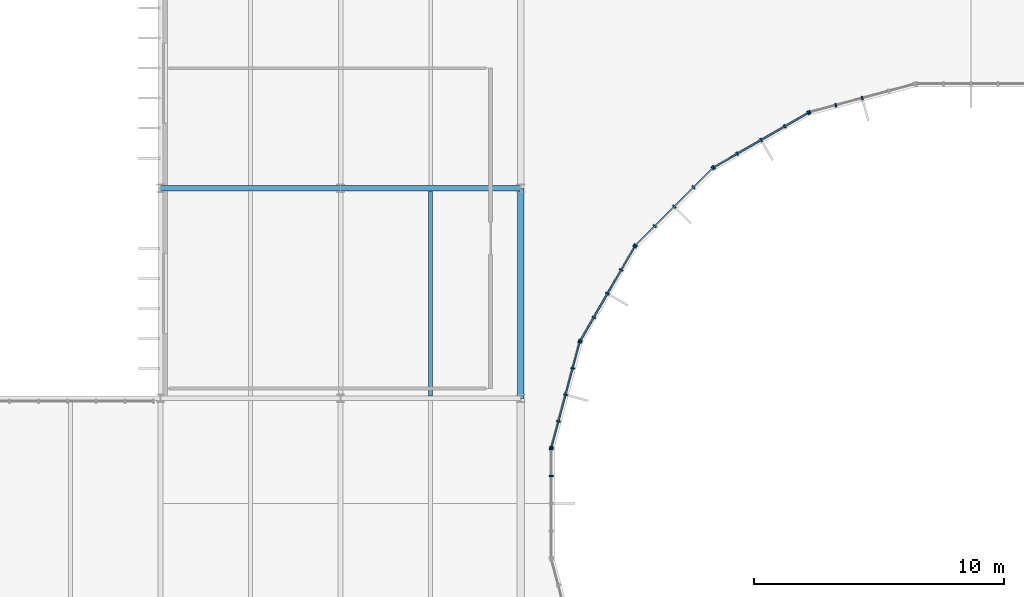
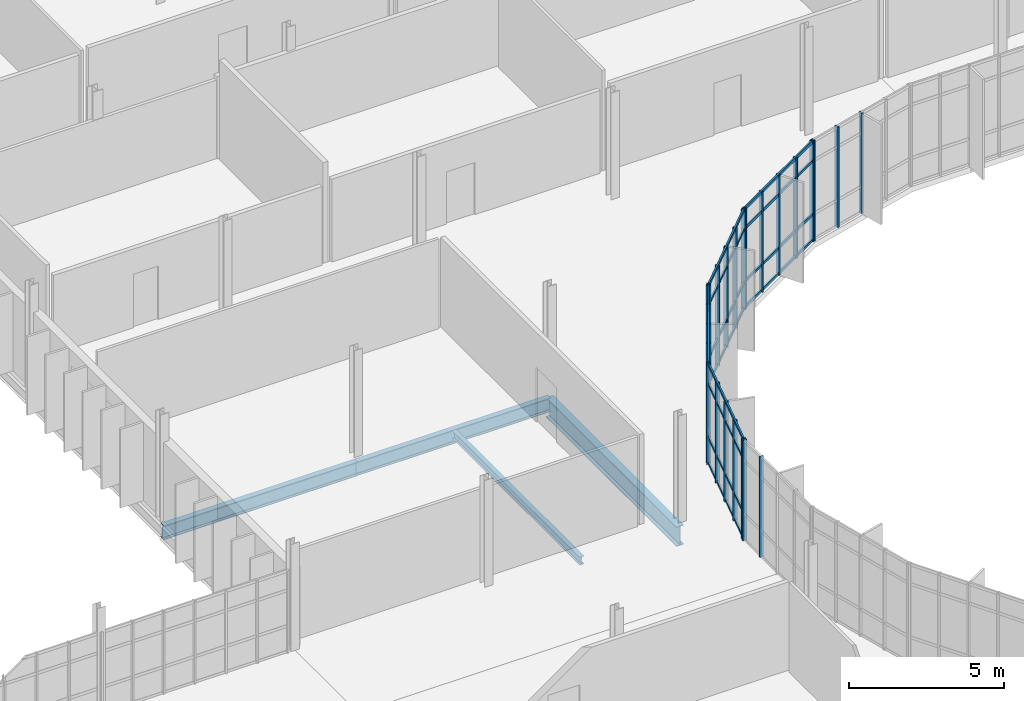
# One storey, part 53 of 119: 41 members, 4 beams, 6 elements without a shape of their own.
"""IFC4 building model written with IfcOpenShell, lengths in metres."""

from ifc_helpers import new_model, si_unit, direction, frame, origin, origin_2d, place, context, subcontext, project, spatial, rectangle, i_section, extrude, material, material_profile, profile_set, type_object, element, aggregate, save


model = new_model("IFC4")

# Units and contexts
model_context = context("Model", 3, precision=1e-05, world=origin(), true_north=direction((0.0, 1.0)))
body_context = subcontext(model_context, "Body", "Model", "MODEL_VIEW")
ifc_project = project(units=[si_unit("LENGTHUNIT", "METRE"), si_unit("AREAUNIT", "SQUARE_METRE"), si_unit("VOLUMEUNIT", "CUBIC_METRE"), si_unit("PLANEANGLEUNIT", "RADIAN"), si_unit("MASSUNIT", "GRAM", prefix="KILO")], contexts=[model_context])

# Site, building, storey
site_placement = place(None, origin())
site = spatial("IfcSite", under=ifc_project, at=site_placement, CompositionType="ELEMENT")
building_placement = place(site_placement, origin())
building = spatial("IfcBuilding", under=site, at=building_placement, Name="Qelthora Terrace Specialist Clinic", CompositionType="ELEMENT")
storey_placement = place(building_placement, frame((0.0, 0.0, 4.800048828125)))
storey = spatial("IfcBuildingStorey", under=building, at=storey_placement, Name="L01", CompositionType="ELEMENT", Elevation=4.800048828125)

# Beams
ifc_material_1 = material(Name="Steel S355", Category="steel")
ifc_material_profile_1 = material_profile(ifc_material_1, i_section(OverallWidth=0.2099609375, OverallDepth=0.537109375, WebThickness=0.010986328125, FlangeThickness=0.017333984375, FilletRadius=0.013916015625, at=origin_2d()), Name="W530X101")
ifc_profile_set_1 = profile_set([ifc_material_profile_1], Name="Steel S355")
beam_type_1 = type_object("IfcBeamType", Name="BM-W530X101", PredefinedType="BEAM", material=ifc_profile_set_1)
beam_1_placement = place(storey_placement, frame((100.800048828125, 75.60009765625, -0.5185546875), z_axis=(1.0, 0.0, 0.0), x_axis=(0.0, 1.0, 0.0)))
element("IfcBeam", 1, at=beam_1_placement, inside=storey, type_object=beam_type_1, Name="Girder BMX-L01-0272", PredefinedType="BEAM", context=body_context, shape_type="SweptSolid", body=[
    extrude(i_section(OverallWidth=0.2099609375, OverallDepth=0.537109375, WebThickness=0.010986328125, FlangeThickness=0.017333984375, FilletRadius=0.013916015625, at=origin_2d()), origin(), (0.0, 0.0, 1.0), 7.199951171875),
])
ifc_material_profile_2 = material_profile(ifc_material_1, i_section(OverallWidth=0.2119140625, OverallDepth=0.5439453125, WebThickness=0.01318359375, FlangeThickness=0.021240234375, FilletRadius=0.013916015625, at=origin_2d()), Name="W530X123")
ifc_profile_set_2 = profile_set([ifc_material_profile_2], Name="Steel S355")
beam_type_2 = type_object("IfcBeamType", Name="BM-W530X123", PredefinedType="BEAM", material=ifc_profile_set_2)
beam_2_placement = place(storey_placement, frame((93.60009765625, 75.60009765625, -0.52197265625), z_axis=(1.0, 0.0, 0.0), x_axis=(0.0, 1.0, 0.0)))
element("IfcBeam", 2, at=beam_2_placement, inside=storey, type_object=beam_type_2, Name="Girder BMX-L01-0271", PredefinedType="BEAM", context=body_context, shape_type="SweptSolid", body=[
    extrude(i_section(OverallWidth=0.2119140625, OverallDepth=0.5439453125, WebThickness=0.01318359375, FlangeThickness=0.021240234375, FilletRadius=0.013916015625, at=origin_2d()), origin(), (0.0, 0.0, 1.0), 7.199951171875),
])
ifc_material_profile_3 = material_profile(ifc_material_1, i_section(OverallWidth=0.26806640625, OverallDepth=0.77001953125, WebThickness=0.015625, FlangeThickness=0.025390625, FilletRadius=0.01904296875, at=origin_2d()), Name="W760X196")
ifc_profile_set_3 = profile_set([ifc_material_profile_3], Name="Steel S355")
beam_type_3 = type_object("IfcBeamType", Name="BM-W760X196", PredefinedType="BEAM", material=ifc_profile_set_3)
beam_3_placement = place(storey_placement, frame((108.0, 67.199951171875, -0.635009765625), z_axis=(0.0, 1.0, 0.0), x_axis=(-1.0, 0.0, 0.0)))
element("IfcBeam", 3, at=beam_3_placement, inside=storey, type_object=beam_type_3, Name="Girder BMY-L01-0482", PredefinedType="BEAM", context=body_context, shape_type="SweptSolid", body=[
    extrude(i_section(OverallWidth=0.26806640625, OverallDepth=0.77001953125, WebThickness=0.015625, FlangeThickness=0.025390625, FilletRadius=0.01904296875, at=origin_2d()), origin(), (0.0, 0.0, 1.0), 8.400146484375),
])

# Curtain wall, members
ifc_material_2 = material(Name="Aluminium anodized bronze", Category="aluminium")
curtain_wall_type = type_object("IfcCurtainWallType", Name="CW-CRTE-UPP", PredefinedType="NOTDEFINED", material=ifc_material_2)
curtain_wall_1_placement = place(storey_placement, origin())
curtain_wall_1 = element("IfcCurtainWall", 4, at=curtain_wall_1_placement, inside=storey, type_object=curtain_wall_type, Name="Curtain wall CW-CE-L01-07", PredefinedType="NOTDEFINED")
ifc_material_profile_4 = material_profile(ifc_material_2, rectangle(XDim=0.06005859375, YDim=0.14990234375, at=origin_2d()), Name="CWM60X150")
ifc_profile_set_4 = profile_set([ifc_material_profile_4], Name="Aluminium anodized bronze")
member_type_1 = type_object("IfcMemberType", Name="CWM-60X150", PredefinedType="MULLION", material=ifc_profile_set_4)
member_1_placement = place(storey_placement, frame((121.657958984375, 79.20458984375, 0.0), z_axis=(0.0, 0.0, 1.0), x_axis=(-0.965925660235, -0.258819664824, 0.0)))
member_1 = element("IfcMember", 5, at=member_1_placement, type_object=member_type_1, Name="CW-CE-L01-07 mullion 3", PredefinedType="MULLION", context=body_context, shape_type="SweptSolid", body=[
    extrude(rectangle(XDim=0.06005859375, YDim=0.14990234375, at=origin_2d()), origin(), (0.0, 0.0, 1.0), 3.945068359375),
])
member_2_placement = place(storey_placement, frame((120.598876953125, 78.9208984375, 0.0), z_axis=(0.0, 0.0, 1.0), x_axis=(-0.965925660235, -0.258819664824, 0.0)))
member_2 = element("IfcMember", 6, at=member_2_placement, type_object=member_type_1, Name="CW-CE-L01-07 mullion 4", PredefinedType="MULLION", context=body_context, shape_type="SweptSolid", body=[
    extrude(rectangle(XDim=0.06005859375, YDim=0.14990234375, at=origin_2d()), origin(), (0.0, 0.0, 1.0), 3.945068359375),
])
member_3_placement = place(storey_placement, frame((119.55908203125, 78.642333984375, 0.0), z_axis=(0.0, 0.0, 1.0), x_axis=(-0.965925660235, -0.258819664824, 0.0)))
member_3 = element("IfcMember", 7, at=member_3_placement, type_object=member_type_1, Name="CW-CE-L01-07 mullion 5", PredefinedType="MULLION", context=body_context, shape_type="SweptSolid", body=[
    extrude(rectangle(XDim=0.06005859375, YDim=0.14990234375, at=origin_2d()), origin(), (0.0, 0.0, 1.0), 3.945068359375),
])
aggregate(curtain_wall_1, [member_1, member_2, member_3])

curtain_wall_2_placement = place(storey_placement, origin())
curtain_wall_2 = element("IfcCurtainWall", 8, at=curtain_wall_2_placement, inside=storey, type_object=curtain_wall_type, Name="Curtain wall CW-CE-L01-08", PredefinedType="NOTDEFINED")
member_4_placement = place(storey_placement, frame((119.49365234375, 78.614990234375, 0.0), z_axis=(0.0, 0.0, 1.0), x_axis=(-0.86602538709, -0.500000028915, 0.0)))
member_4 = element("IfcMember", 9, at=member_4_placement, type_object=member_type_1, Name="CW-CE-L01-08 mullion 1", PredefinedType="MULLION", context=body_context, shape_type="SweptSolid", body=[
    extrude(rectangle(XDim=0.06005859375, YDim=0.14990234375, at=origin_2d()), origin(), (0.0, 0.0, 1.0), 3.945068359375),
])
member_5_placement = place(storey_placement, frame((118.561279296875, 78.076904296875, 0.0), z_axis=(0.0, 0.0, 1.0), x_axis=(-0.86602538709, -0.500000028915, 0.0)))
member_5 = element("IfcMember", 10, at=member_5_placement, type_object=member_type_1, Name="CW-CE-L01-08 mullion 2", PredefinedType="MULLION", context=body_context, shape_type="SweptSolid", body=[
    extrude(rectangle(XDim=0.06005859375, YDim=0.14990234375, at=origin_2d()), origin(), (0.0, 0.0, 1.0), 3.945068359375),
])
member_6_placement = place(storey_placement, frame((117.61181640625, 77.528564453125, 0.0), z_axis=(0.0, 0.0, 1.0), x_axis=(-0.86602538709, -0.500000028915, 0.0)))
member_6 = element("IfcMember", 11, at=member_6_placement, type_object=member_type_1, Name="CW-CE-L01-08 mullion 3", PredefinedType="MULLION", context=body_context, shape_type="SweptSolid", body=[
    extrude(rectangle(XDim=0.06005859375, YDim=0.14990234375, at=origin_2d()), origin(), (0.0, 0.0, 1.0), 3.945068359375),
])
member_7_placement = place(storey_placement, frame((116.662353515625, 76.98046875, 0.0), z_axis=(0.0, 0.0, 1.0), x_axis=(-0.86602538709, -0.500000028915, 0.0)))
member_7 = element("IfcMember", 12, at=member_7_placement, type_object=member_type_1, Name="CW-CE-L01-08 mullion 4", PredefinedType="MULLION", context=body_context, shape_type="SweptSolid", body=[
    extrude(rectangle(XDim=0.06005859375, YDim=0.14990234375, at=origin_2d()), origin(), (0.0, 0.0, 1.0), 3.945068359375),
])
member_8_placement = place(storey_placement, frame((115.730224609375, 76.442138671875, 0.0), z_axis=(0.0, 0.0, 1.0), x_axis=(-0.86602538709, -0.500000028915, 0.0)))
member_8 = element("IfcMember", 13, at=member_8_placement, type_object=member_type_1, Name="CW-CE-L01-08 mullion 5", PredefinedType="MULLION", context=body_context, shape_type="SweptSolid", body=[
    extrude(rectangle(XDim=0.06005859375, YDim=0.14990234375, at=origin_2d()), origin(), (0.0, 0.0, 1.0), 3.945068359375),
])

curtain_wall_3_placement = place(storey_placement, origin())
curtain_wall_3 = element("IfcCurtainWall", 14, at=curtain_wall_3_placement, inside=storey, type_object=curtain_wall_type, Name="Curtain wall CW-CE-L01-09", PredefinedType="NOTDEFINED")
member_9_placement = place(storey_placement, frame((115.673828125, 76.399169921875, 0.0), z_axis=(0.0, 0.0, 1.0), x_axis=(-0.707106781187, -0.707106781187, 0.0)))
member_9 = element("IfcMember", 15, at=member_9_placement, type_object=member_type_1, Name="CW-CE-L01-09 mullion 1", PredefinedType="MULLION", context=body_context, shape_type="SweptSolid", body=[
    extrude(rectangle(XDim=0.06005859375, YDim=0.14990234375, at=origin_2d()), origin(), (0.0, 0.0, 1.0), 3.945068359375),
])
member_10_placement = place(storey_placement, frame((114.91259765625, 75.637939453125, 0.0), z_axis=(0.0, 0.0, 1.0), x_axis=(-0.707106781187, -0.707106781187, 0.0)))
member_10 = element("IfcMember", 16, at=member_10_placement, type_object=member_type_1, Name="CW-CE-L01-09 mullion 2", PredefinedType="MULLION", context=body_context, shape_type="SweptSolid", body=[
    extrude(rectangle(XDim=0.06005859375, YDim=0.14990234375, at=origin_2d()), origin(), (0.0, 0.0, 1.0), 3.945068359375),
])
member_11_placement = place(storey_placement, frame((114.137451171875, 74.862548828125, 0.0), z_axis=(0.0, 0.0, 1.0), x_axis=(-0.707106781187, -0.707106781187, 0.0)))
member_11 = element("IfcMember", 17, at=member_11_placement, type_object=member_type_1, Name="CW-CE-L01-09 mullion 3", PredefinedType="MULLION", context=body_context, shape_type="SweptSolid", body=[
    extrude(rectangle(XDim=0.06005859375, YDim=0.14990234375, at=origin_2d()), origin(), (0.0, 0.0, 1.0), 3.945068359375),
])
member_12_placement = place(storey_placement, frame((113.362060546875, 74.08740234375, 0.0), z_axis=(0.0, 0.0, 1.0), x_axis=(-0.707106781187, -0.707106781187, 0.0)))
member_12 = element("IfcMember", 18, at=member_12_placement, type_object=member_type_1, Name="CW-CE-L01-09 mullion 4", PredefinedType="MULLION", context=body_context, shape_type="SweptSolid", body=[
    extrude(rectangle(XDim=0.06005859375, YDim=0.14990234375, at=origin_2d()), origin(), (0.0, 0.0, 1.0), 3.945068359375),
])
member_13_placement = place(storey_placement, frame((112.600830078125, 73.326171875, 0.0), z_axis=(0.0, 0.0, 1.0), x_axis=(-0.707106781187, -0.707106781187, 0.0)))
member_13 = element("IfcMember", 19, at=member_13_placement, type_object=member_type_1, Name="CW-CE-L01-09 mullion 5", PredefinedType="MULLION", context=body_context, shape_type="SweptSolid", body=[
    extrude(rectangle(XDim=0.06005859375, YDim=0.14990234375, at=origin_2d()), origin(), (0.0, 0.0, 1.0), 3.945068359375),
])

curtain_wall_4_placement = place(storey_placement, origin())
curtain_wall_4 = element("IfcCurtainWall", 20, at=curtain_wall_4_placement, inside=storey, type_object=curtain_wall_type, Name="Curtain wall CW-CE-L01-10", PredefinedType="NOTDEFINED")
member_14_placement = place(storey_placement, frame((112.557861328125, 73.269775390625, 0.0), z_axis=(0.0, 0.0, 1.0), x_axis=(-0.500000028915, -0.86602538709, 0.0)))
member_14 = element("IfcMember", 21, at=member_14_placement, type_object=member_type_1, Name="CW-CE-L01-10 mullion 1", PredefinedType="MULLION", context=body_context, shape_type="SweptSolid", body=[
    extrude(rectangle(XDim=0.06005859375, YDim=0.14990234375, at=origin_2d()), origin(), (0.0, 0.0, 1.0), 3.945068359375),
])
member_15_placement = place(storey_placement, frame((112.01953125, 72.337646484375, 0.0), z_axis=(0.0, 0.0, 1.0), x_axis=(-0.500000028915, -0.86602538709, 0.0)))
member_15 = element("IfcMember", 22, at=member_15_placement, type_object=member_type_1, Name="CW-CE-L01-10 mullion 2", PredefinedType="MULLION", context=body_context, shape_type="SweptSolid", body=[
    extrude(rectangle(XDim=0.06005859375, YDim=0.14990234375, at=origin_2d()), origin(), (0.0, 0.0, 1.0), 3.945068359375),
])
member_16_placement = place(storey_placement, frame((111.471435546875, 71.38818359375, 0.0), z_axis=(0.0, 0.0, 1.0), x_axis=(-0.500000028915, -0.86602538709, 0.0)))
member_16 = element("IfcMember", 23, at=member_16_placement, type_object=member_type_1, Name="CW-CE-L01-10 mullion 3", PredefinedType="MULLION", context=body_context, shape_type="SweptSolid", body=[
    extrude(rectangle(XDim=0.06005859375, YDim=0.14990234375, at=origin_2d()), origin(), (0.0, 0.0, 1.0), 3.945068359375),
])
member_17_placement = place(storey_placement, frame((110.923095703125, 70.438720703125, 0.0), z_axis=(0.0, 0.0, 1.0), x_axis=(-0.500000028915, -0.86602538709, 0.0)))
member_17 = element("IfcMember", 24, at=member_17_placement, type_object=member_type_1, Name="CW-CE-L01-10 mullion 4", PredefinedType="MULLION", context=body_context, shape_type="SweptSolid", body=[
    extrude(rectangle(XDim=0.06005859375, YDim=0.14990234375, at=origin_2d()), origin(), (0.0, 0.0, 1.0), 3.945068359375),
])
member_18_placement = place(storey_placement, frame((110.385009765625, 69.50634765625, 0.0), z_axis=(0.0, 0.0, 1.0), x_axis=(-0.500000028915, -0.86602538709, 0.0)))
member_18 = element("IfcMember", 25, at=member_18_placement, type_object=member_type_1, Name="CW-CE-L01-10 mullion 5", PredefinedType="MULLION", context=body_context, shape_type="SweptSolid", body=[
    extrude(rectangle(XDim=0.06005859375, YDim=0.14990234375, at=origin_2d()), origin(), (0.0, 0.0, 1.0), 3.945068359375),
])

curtain_wall_5_placement = place(storey_placement, origin())
curtain_wall_5 = element("IfcCurtainWall", 26, at=curtain_wall_5_placement, inside=storey, type_object=curtain_wall_type, Name="Curtain wall CW-CE-L01-11", PredefinedType="NOTDEFINED")
member_19_placement = place(storey_placement, frame((110.357666015625, 69.44091796875, 0.0), z_axis=(0.0, 0.0, 1.0), x_axis=(-0.258819664824, -0.965925660235, 0.0)))
member_19 = element("IfcMember", 27, at=member_19_placement, type_object=member_type_1, Name="CW-CE-L01-11 mullion 1", PredefinedType="MULLION", context=body_context, shape_type="SweptSolid", body=[
    extrude(rectangle(XDim=0.06005859375, YDim=0.14990234375, at=origin_2d()), origin(), (0.0, 0.0, 1.0), 3.945068359375),
])
member_20_placement = place(storey_placement, frame((110.0791015625, 68.401123046875, 0.0), z_axis=(0.0, 0.0, 1.0), x_axis=(-0.258819664824, -0.965925660235, 0.0)))
member_20 = element("IfcMember", 28, at=member_20_placement, type_object=member_type_1, Name="CW-CE-L01-11 mullion 2", PredefinedType="MULLION", context=body_context, shape_type="SweptSolid", body=[
    extrude(rectangle(XDim=0.06005859375, YDim=0.14990234375, at=origin_2d()), origin(), (0.0, 0.0, 1.0), 3.945068359375),
])
member_21_placement = place(storey_placement, frame((109.79541015625, 67.342041015625, 0.0), z_axis=(0.0, 0.0, 1.0), x_axis=(-0.258819664824, -0.965925660235, 0.0)))
member_21 = element("IfcMember", 29, at=member_21_placement, type_object=member_type_1, Name="CW-CE-L01-11 mullion 3", PredefinedType="MULLION", context=body_context, shape_type="SweptSolid", body=[
    extrude(rectangle(XDim=0.06005859375, YDim=0.14990234375, at=origin_2d()), origin(), (0.0, 0.0, 1.0), 3.945068359375),
])
member_22_placement = place(storey_placement, frame((109.511474609375, 66.282958984375, 0.0), z_axis=(0.0, 0.0, 1.0), x_axis=(-0.258819664824, -0.965925660235, 0.0)))
member_22 = element("IfcMember", 30, at=member_22_placement, type_object=member_type_1, Name="CW-CE-L01-11 mullion 4", PredefinedType="MULLION", context=body_context, shape_type="SweptSolid", body=[
    extrude(rectangle(XDim=0.06005859375, YDim=0.14990234375, at=origin_2d()), origin(), (0.0, 0.0, 1.0), 3.945068359375),
])
member_23_placement = place(storey_placement, frame((109.23291015625, 65.2431640625, 0.0), z_axis=(0.0, 0.0, 1.0), x_axis=(-0.258819664824, -0.965925660235, 0.0)))
member_23 = element("IfcMember", 31, at=member_23_placement, type_object=member_type_1, Name="CW-CE-L01-11 mullion 5", PredefinedType="MULLION", context=body_context, shape_type="SweptSolid", body=[
    extrude(rectangle(XDim=0.06005859375, YDim=0.14990234375, at=origin_2d()), origin(), (0.0, 0.0, 1.0), 3.945068359375),
])

curtain_wall_6_placement = place(storey_placement, origin())
curtain_wall_6 = element("IfcCurtainWall", 32, at=curtain_wall_6_placement, inside=storey, type_object=curtain_wall_type, Name="Curtain wall CW-CE-L01-12", PredefinedType="NOTDEFINED")
member_24_placement = place(storey_placement, frame((109.2236328125, 65.1728515625, 0.0), z_axis=(0.0, 0.0, 1.0), x_axis=(0.0, -1.0, 0.0)))
member_24 = element("IfcMember", 33, at=member_24_placement, type_object=member_type_1, Name="CW-CE-L01-12 mullion 1", PredefinedType="MULLION", context=body_context, shape_type="SweptSolid", body=[
    extrude(rectangle(XDim=0.06005859375, YDim=0.14990234375, at=origin_2d()), origin(), (0.0, 0.0, 1.0), 3.945068359375),
])
member_25_placement = place(storey_placement, frame((109.2236328125, 64.096435546875, 0.0), z_axis=(0.0, 0.0, 1.0), x_axis=(0.0, -1.0, 0.0)))
member_25 = element("IfcMember", 34, at=member_25_placement, type_object=member_type_1, Name="CW-CE-L01-12 mullion 2", PredefinedType="MULLION", context=body_context, shape_type="SweptSolid", body=[
    extrude(rectangle(XDim=0.06005859375, YDim=0.14990234375, at=origin_2d()), origin(), (0.0, 0.0, 1.0), 3.945068359375),
])
aggregate(curtain_wall_6, [member_24, member_25])

# Member
ifc_material_profile_5 = material_profile(ifc_material_2, rectangle(XDim=0.06005859375, YDim=0.110107421875, at=origin_2d()), Name="CWT60X110")
ifc_profile_set_5 = profile_set([ifc_material_profile_5], Name="Aluminium anodized bronze")
member_type_2 = type_object("IfcMemberType", Name="CWT-60X110", PredefinedType="USERDEFINED", material=ifc_profile_set_5)
member_26_placement = place(storey_placement, frame((119.476318359375, 78.60498046875, 0.0400390625), z_axis=(-0.866022228109, -0.500005500391, 0.0), x_axis=(0.500005500391, -0.866022228109, 0.0)))
member_26 = element("IfcMember", 35, at=member_26_placement, type_object=member_type_2, Name="CW-CE-L01-08 transom 1", ObjectType="TRANSOM", PredefinedType="USERDEFINED", context=body_context, shape_type="SweptSolid", body=[
    extrude(rectangle(XDim=0.06005859375, YDim=0.110107421875, at=origin_2d()), origin(), (0.0, 0.0, 1.0), 4.3056640625),
])

member_27_placement = place(storey_placement, frame((119.476318359375, 78.60498046875, 1.050048828125), z_axis=(-0.866022228109, -0.500005500391, 0.0), x_axis=(0.500005500391, -0.866022228109, 0.0)))
member_27 = element("IfcMember", 36, at=member_27_placement, type_object=member_type_2, Name="CW-CE-L01-08 transom 2", ObjectType="TRANSOM", PredefinedType="USERDEFINED", context=body_context, shape_type="SweptSolid", body=[
    extrude(rectangle(XDim=0.06005859375, YDim=0.110107421875, at=origin_2d()), origin(), (0.0, 0.0, 1.0), 4.3056640625),
])

member_28_placement = place(storey_placement, frame((119.476318359375, 78.60498046875, 3.14501953125), z_axis=(-0.866022228109, -0.500005500391, 0.0), x_axis=(0.500005500391, -0.866022228109, 0.0)))
member_28 = element("IfcMember", 37, at=member_28_placement, type_object=member_type_2, Name="CW-CE-L01-08 transom 3", ObjectType="TRANSOM", PredefinedType="USERDEFINED", context=body_context, shape_type="SweptSolid", body=[
    extrude(rectangle(XDim=0.06005859375, YDim=0.110107421875, at=origin_2d()), origin(), (0.0, 0.0, 1.0), 4.3056640625),
])

member_29_placement = place(storey_placement, frame((119.476318359375, 78.60498046875, 3.905029296875), z_axis=(-0.866022228109, -0.500005500391, 0.0), x_axis=(0.500005500391, -0.866022228109, 0.0)))
member_29 = element("IfcMember", 38, at=member_29_placement, type_object=member_type_2, Name="CW-CE-L01-08 transom 4", ObjectType="TRANSOM", PredefinedType="USERDEFINED", context=body_context, shape_type="SweptSolid", body=[
    extrude(rectangle(XDim=0.06005859375, YDim=0.110107421875, at=origin_2d()), origin(), (0.0, 0.0, 1.0), 4.3056640625),
])

aggregate(curtain_wall_2, [member_4, member_5, member_6, member_7, member_8, member_26, member_27, member_28, member_29])

member_30_placement = place(storey_placement, frame((115.65966796875, 76.385009765625, 0.0400390625), z_axis=(-0.707106781187, -0.707106781187, 0.0), x_axis=(0.707106781187, -0.707106781187, 0.0)))
member_30 = element("IfcMember", 39, at=member_30_placement, type_object=member_type_2, Name="CW-CE-L01-09 transom 1", ObjectType="TRANSOM", PredefinedType="USERDEFINED", context=body_context, shape_type="SweptSolid", body=[
    extrude(rectangle(XDim=0.06005859375, YDim=0.110107421875, at=origin_2d()), origin(), (0.0, 0.0, 1.0), 4.305908203125),
])

member_31_placement = place(storey_placement, frame((115.65966796875, 76.385009765625, 1.050048828125), z_axis=(-0.707106781187, -0.707106781187, 0.0), x_axis=(0.707106781187, -0.707106781187, 0.0)))
member_31 = element("IfcMember", 40, at=member_31_placement, type_object=member_type_2, Name="CW-CE-L01-09 transom 2", ObjectType="TRANSOM", PredefinedType="USERDEFINED", context=body_context, shape_type="SweptSolid", body=[
    extrude(rectangle(XDim=0.06005859375, YDim=0.110107421875, at=origin_2d()), origin(), (0.0, 0.0, 1.0), 4.305908203125),
])

member_32_placement = place(storey_placement, frame((115.65966796875, 76.385009765625, 3.14501953125), z_axis=(-0.707106781187, -0.707106781187, 0.0), x_axis=(0.707106781187, -0.707106781187, 0.0)))
member_32 = element("IfcMember", 41, at=member_32_placement, type_object=member_type_2, Name="CW-CE-L01-09 transom 3", ObjectType="TRANSOM", PredefinedType="USERDEFINED", context=body_context, shape_type="SweptSolid", body=[
    extrude(rectangle(XDim=0.06005859375, YDim=0.110107421875, at=origin_2d()), origin(), (0.0, 0.0, 1.0), 4.305908203125),
])

member_33_placement = place(storey_placement, frame((115.65966796875, 76.385009765625, 3.905029296875), z_axis=(-0.707106781187, -0.707106781187, 0.0), x_axis=(0.707106781187, -0.707106781187, 0.0)))
member_33 = element("IfcMember", 42, at=member_33_placement, type_object=member_type_2, Name="CW-CE-L01-09 transom 4", ObjectType="TRANSOM", PredefinedType="USERDEFINED", context=body_context, shape_type="SweptSolid", body=[
    extrude(rectangle(XDim=0.06005859375, YDim=0.110107421875, at=origin_2d()), origin(), (0.0, 0.0, 1.0), 4.305908203125),
])

aggregate(curtain_wall_3, [member_9, member_10, member_11, member_12, member_13, member_30, member_31, member_32, member_33])

member_34_placement = place(storey_placement, frame((112.5478515625, 73.25244140625, 0.0400390625), z_axis=(-0.500005500391, -0.866022228109, 0.0), x_axis=(0.866022228109, -0.500005500391, 0.0)))
member_34 = element("IfcMember", 43, at=member_34_placement, type_object=member_type_2, Name="CW-CE-L01-10 transom 1", ObjectType="TRANSOM", PredefinedType="USERDEFINED", context=body_context, shape_type="SweptSolid", body=[
    extrude(rectangle(XDim=0.06005859375, YDim=0.110107421875, at=origin_2d()), origin(), (0.0, 0.0, 1.0), 4.3056640625),
])

member_35_placement = place(storey_placement, frame((112.5478515625, 73.25244140625, 1.050048828125), z_axis=(-0.500005500391, -0.866022228109, 0.0), x_axis=(0.866022228109, -0.500005500391, 0.0)))
member_35 = element("IfcMember", 44, at=member_35_placement, type_object=member_type_2, Name="CW-CE-L01-10 transom 2", ObjectType="TRANSOM", PredefinedType="USERDEFINED", context=body_context, shape_type="SweptSolid", body=[
    extrude(rectangle(XDim=0.06005859375, YDim=0.110107421875, at=origin_2d()), origin(), (0.0, 0.0, 1.0), 4.3056640625),
])

member_36_placement = place(storey_placement, frame((112.5478515625, 73.25244140625, 3.14501953125), z_axis=(-0.500005500391, -0.866022228109, 0.0), x_axis=(0.866022228109, -0.500005500391, 0.0)))
member_36 = element("IfcMember", 45, at=member_36_placement, type_object=member_type_2, Name="CW-CE-L01-10 transom 3", ObjectType="TRANSOM", PredefinedType="USERDEFINED", context=body_context, shape_type="SweptSolid", body=[
    extrude(rectangle(XDim=0.06005859375, YDim=0.110107421875, at=origin_2d()), origin(), (0.0, 0.0, 1.0), 4.3056640625),
])

member_37_placement = place(storey_placement, frame((112.5478515625, 73.25244140625, 3.905029296875), z_axis=(-0.500005500391, -0.866022228109, 0.0), x_axis=(0.866022228109, -0.500005500391, 0.0)))
member_37 = element("IfcMember", 46, at=member_37_placement, type_object=member_type_2, Name="CW-CE-L01-10 transom 4", ObjectType="TRANSOM", PredefinedType="USERDEFINED", context=body_context, shape_type="SweptSolid", body=[
    extrude(rectangle(XDim=0.06005859375, YDim=0.110107421875, at=origin_2d()), origin(), (0.0, 0.0, 1.0), 4.3056640625),
])

aggregate(curtain_wall_4, [member_14, member_15, member_16, member_17, member_18, member_34, member_35, member_36, member_37])

member_38_placement = place(storey_placement, frame((110.3525390625, 69.42138671875, 0.0400390625), z_axis=(-0.25879182601, -0.965933119212, 0.0), x_axis=(0.965933119212, -0.25879182601, 0.0)))
member_38 = element("IfcMember", 47, at=member_38_placement, type_object=member_type_2, Name="CW-CE-L01-11 transom 1", ObjectType="TRANSOM", PredefinedType="USERDEFINED", context=body_context, shape_type="SweptSolid", body=[
    extrude(rectangle(XDim=0.06005859375, YDim=0.110107421875, at=origin_2d()), origin(), (0.0, 0.0, 1.0), 4.3056640625),
])

member_39_placement = place(storey_placement, frame((110.3525390625, 69.42138671875, 1.050048828125), z_axis=(-0.25879182601, -0.965933119212, 0.0), x_axis=(0.965933119212, -0.25879182601, 0.0)))
member_39 = element("IfcMember", 48, at=member_39_placement, type_object=member_type_2, Name="CW-CE-L01-11 transom 2", ObjectType="TRANSOM", PredefinedType="USERDEFINED", context=body_context, shape_type="SweptSolid", body=[
    extrude(rectangle(XDim=0.06005859375, YDim=0.110107421875, at=origin_2d()), origin(), (0.0, 0.0, 1.0), 4.3056640625),
])

member_40_placement = place(storey_placement, frame((110.3525390625, 69.42138671875, 3.14501953125), z_axis=(-0.25879182601, -0.965933119212, 0.0), x_axis=(0.965933119212, -0.25879182601, 0.0)))
member_40 = element("IfcMember", 49, at=member_40_placement, type_object=member_type_2, Name="CW-CE-L01-11 transom 3", ObjectType="TRANSOM", PredefinedType="USERDEFINED", context=body_context, shape_type="SweptSolid", body=[
    extrude(rectangle(XDim=0.06005859375, YDim=0.110107421875, at=origin_2d()), origin(), (0.0, 0.0, 1.0), 4.3056640625),
])

member_41_placement = place(storey_placement, frame((110.3525390625, 69.42138671875, 3.905029296875), z_axis=(-0.25879182601, -0.965933119212, 0.0), x_axis=(0.965933119212, -0.25879182601, 0.0)))
member_41 = element("IfcMember", 50, at=member_41_placement, type_object=member_type_2, Name="CW-CE-L01-11 transom 4", ObjectType="TRANSOM", PredefinedType="USERDEFINED", context=body_context, shape_type="SweptSolid", body=[
    extrude(rectangle(XDim=0.06005859375, YDim=0.110107421875, at=origin_2d()), origin(), (0.0, 0.0, 1.0), 4.3056640625),
])

aggregate(curtain_wall_5, [member_19, member_20, member_21, member_22, member_23, member_38, member_39, member_40, member_41])

# Beam
ifc_material_profile_6 = material_profile(ifc_material_1, i_section(OverallWidth=0.166015625, OverallDepth=0.31298828125, WebThickness=0.006591796875, FlangeThickness=0.01123046875, FilletRadius=0.010009765625, at=origin_2d()), Name="W310X45")
ifc_profile_set_6 = profile_set([ifc_material_profile_6], Name="Steel S355")
beam_type_4 = type_object("IfcBeamType", Name="JST-W310X45", PredefinedType="JOIST", material=ifc_profile_set_6)
beam_4_placement = place(storey_placement, frame((104.39990234375, 67.28955078125, -0.406494140625), z_axis=(0.0, 1.0, 0.0), x_axis=(-1.0, 0.0, 0.0)))
element("IfcBeam", 51, at=beam_4_placement, inside=storey, type_object=beam_type_4, Name="Composite floor joist JST-L01-0118", PredefinedType="JOIST", context=body_context, shape_type="SweptSolid", body=[
    extrude(i_section(OverallWidth=0.166015625, OverallDepth=0.31298828125, WebThickness=0.006591796875, FlangeThickness=0.01123046875, FilletRadius=0.010009765625, at=origin_2d()), origin(), (0.0, 0.0, 1.0), 8.20556640625),
])

save(model, "model.ifc")
